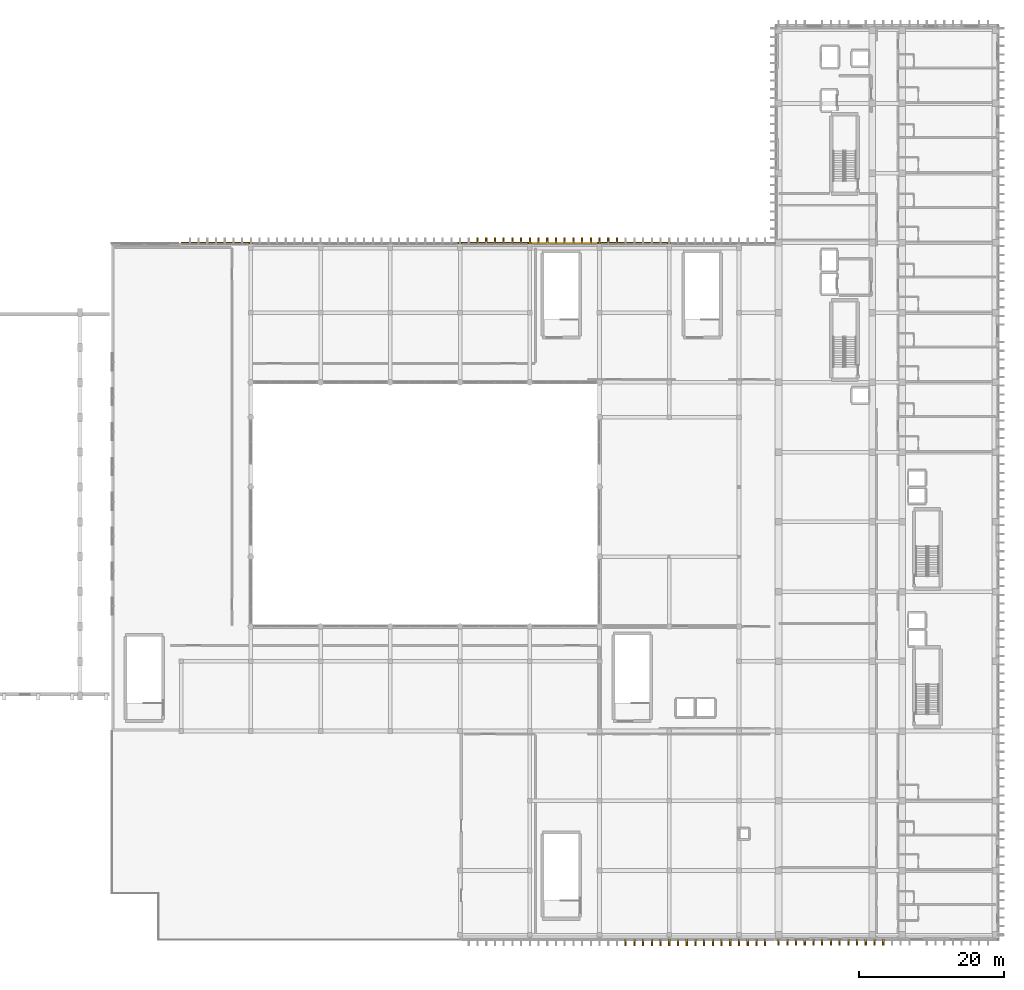
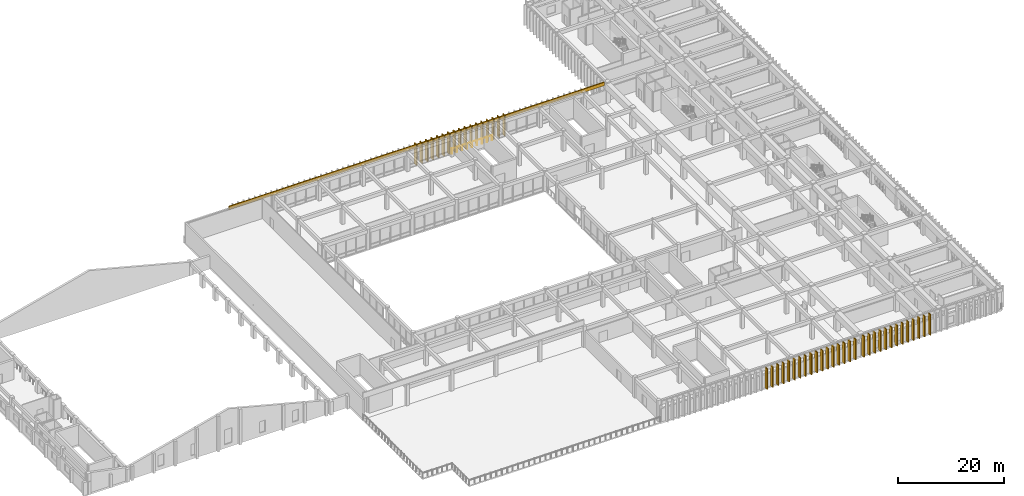
# One storey, part 92 of 101: 48 coverings, 47 shading devices, 1 railing.
"""IFC4 building model written with IfcOpenShell, lengths in metres."""

from ifc_helpers import new_model, si_unit, direction, frame, origin, origin_2d, place, context, subcontext, project, spatial, rectangle, circle, extrude, material, layer, layer_set, type_object, element, save


model = new_model("IFC4")

# Units and contexts
model_context = context("Model", 3, precision=1e-05, world=origin(), true_north=direction((0.0, 1.0)))
body_context = subcontext(model_context, "Body", "Model", "MODEL_VIEW")
ifc_project = project(units=[si_unit("LENGTHUNIT", "METRE"), si_unit("AREAUNIT", "SQUARE_METRE"), si_unit("VOLUMEUNIT", "CUBIC_METRE"), si_unit("PLANEANGLEUNIT", "RADIAN"), si_unit("MASSUNIT", "GRAM", prefix="KILO")], contexts=[model_context])

# Site, building, storey
site_placement = place(None, origin())
site = spatial("IfcSite", under=ifc_project, at=site_placement, CompositionType="ELEMENT")
building_placement = place(site_placement, origin())
building = spatial("IfcBuilding", under=site, at=building_placement, Name="Nakhvara Creek Congress Hotel", CompositionType="ELEMENT")
storey_placement = place(building_placement, frame((0.0, 0.0, 16.199951171875)))
storey = spatial("IfcBuildingStorey", under=building, at=storey_placement, Name="L03", CompositionType="ELEMENT", Elevation=16.199951171875)

# Coverings
ifc_material_1 = material(Name="Honed pale Omani limestone architectural cladding", Category="masonry")
ifc_layer_1 = layer(ifc_material_1, 0.219970703125)
ifc_layer_set_1 = layer_set([ifc_layer_1], Name="Honed pale Omani limestone architectural cladding")
covering_type_1 = type_object("IfcCoveringType", Name="COV-FIN-850", PredefinedType="CLADDING", material=ifc_layer_set_1)
for number, where, z_axis, x_axis, name in (
    (1, (128.39990234375, -0.304931640625, 0.0), (0.0, 0.0, 1.0), (1.0, 0.0, 0.0), "Pale Limestone Fin Cladding CF01-0314"),
    (2, (129.60009765625, -0.304931640625, 0.0), (0.0, 0.0, 1.0), (1.0, 0.0, 0.0), "Pale Limestone Fin Cladding CF01-0315"),
    (3, (130.800048828125, -0.304931640625, 0.0), (0.0, 0.0, 1.0), (1.0, 0.0, 0.0), "Pale Limestone Fin Cladding CF01-0316"),
    (4, (132.0, -0.304931640625, 0.0), (0.0, 0.0, 1.0), (1.0, 0.0, 0.0), "Pale Limestone Fin Cladding CF01-0317"),
    (5, (133.199951171875, -0.304931640625, 0.0), (0.0, 0.0, 1.0), (1.0, 0.0, 0.0), "Pale Limestone Fin Cladding CF01-0318"),
    (6, (134.39990234375, -0.304931640625, 0.0), (0.0, 0.0, 1.0), (1.0, 0.0, 0.0), "Pale Limestone Fin Cladding CF01-0319"),
    (7, (135.60009765625, -0.304931640625, 0.0), (0.0, 0.0, 1.0), (1.0, 0.0, 0.0), "Pale Limestone Fin Cladding CF01-0320"),
    (8, (136.800048828125, -0.304931640625, 0.0), (0.0, 0.0, 1.0), (1.0, 0.0, 0.0), "Pale Limestone Fin Cladding CF01-0321"),
    (9, (138.0, -0.304931640625, 0.0), (0.0, 0.0, 1.0), (1.0, 0.0, 0.0), "Pale Limestone Fin Cladding CF01-0322"),
    (10, (139.199951171875, -0.304931640625, 0.0), (0.0, 0.0, 1.0), (1.0, 0.0, 0.0), "Pale Limestone Fin Cladding CF01-0323"),
    (11, (140.39990234375, -0.304931640625, 0.0), (0.0, 0.0, 1.0), (1.0, 0.0, 0.0), "Pale Limestone Fin Cladding CF01-0324"),
    (12, (141.60009765625, -0.304931640625, 0.0), (0.0, 0.0, 1.0), (1.0, 0.0, 0.0), "Pale Limestone Fin Cladding CF01-0325"),
    (13, (142.800048828125, -0.304931640625, 0.0), (0.0, 0.0, 1.0), (1.0, 0.0, 0.0), "Pale Limestone Fin Cladding CF01-0326"),
    (14, (144.0, -0.304931640625, 0.0), (0.0, 0.0, 1.0), (1.0, 0.0, 0.0), "Pale Limestone Fin Cladding CF01-0327"),
    (15, (145.199951171875, -0.304931640625, 0.0), (0.0, 0.0, 1.0), (1.0, 0.0, 0.0), "Pale Limestone Fin Cladding CF01-0328"),
    (16, (146.39990234375, -0.304931640625, 0.0), (0.0, 0.0, 1.0), (1.0, 0.0, 0.0), "Pale Limestone Fin Cladding CF01-0329"),
    (17, (147.60009765625, -0.304931640625, 0.0), (0.0, 0.0, 1.0), (1.0, 0.0, 0.0), "Pale Limestone Fin Cladding CF01-0330"),
    (18, (108.0, 96.304931640625, 0.0), (0.0, 0.0, 1.0), (1.0, 0.0, 0.0), "Pale Limestone Fin Cladding CF01-0364"),
    (19, (109.199951171875, 96.304931640625, 0.0), (0.0, 0.0, 1.0), (1.0, 0.0, 0.0), "Pale Limestone Fin Cladding CF01-0365"),
    (20, (110.39990234375, 96.304931640625, 0.0), (0.0, 0.0, 1.0), (1.0, 0.0, 0.0), "Pale Limestone Fin Cladding CF01-0366"),
    (21, (111.60009765625, 96.304931640625, 0.0), (0.0, 0.0, 1.0), (1.0, 0.0, 0.0), "Pale Limestone Fin Cladding CF01-0367"),
    (22, (112.800048828125, 96.304931640625, 0.0), (0.0, 0.0, 1.0), (1.0, 0.0, 0.0), "Pale Limestone Fin Cladding CF01-0368"),
    (23, (114.0, 96.304931640625, 0.0), (0.0, 0.0, 1.0), (1.0, 0.0, 0.0), "Pale Limestone Fin Cladding CF01-0369"),
    (24, (115.199951171875, 96.304931640625, 0.0), (0.0, 0.0, 1.0), (1.0, 0.0, 0.0), "Pale Limestone Fin Cladding CF01-0370"),
    (25, (116.39990234375, 96.304931640625, 0.0), (0.0, 0.0, 1.0), (1.0, 0.0, 0.0), "Pale Limestone Fin Cladding CF01-0371"),
    (26, (117.60009765625, 96.304931640625, 0.0), (0.0, 0.0, 1.0), (1.0, 0.0, 0.0), "Pale Limestone Fin Cladding CF01-0372"),
    (27, (118.800048828125, 96.304931640625, 0.0), (0.0, 0.0, 1.0), (1.0, 0.0, 0.0), "Pale Limestone Fin Cladding CF01-0373"),
    (28, (120.0, 96.304931640625, 0.0), (0.0, 0.0, 1.0), (1.0, 0.0, 0.0), "Pale Limestone Fin Cladding CF01-0374"),
    (29, (121.199951171875, 96.304931640625, 0.0), (0.0, 0.0, 1.0), (1.0, 0.0, 0.0), "Pale Limestone Fin Cladding CF01-0375"),
    (30, (122.39990234375, 96.304931640625, 0.0), (0.0, 0.0, 1.0), (1.0, 0.0, 0.0), "Pale Limestone Fin Cladding CF01-0376"),
    (31, (123.60009765625, 96.304931640625, 0.0), (0.0, 0.0, 1.0), (1.0, 0.0, 0.0), "Pale Limestone Fin Cladding CF01-0377"),
    (32, (124.800048828125, 96.304931640625, 0.0), (0.0, 0.0, 1.0), (1.0, 0.0, 0.0), "Pale Limestone Fin Cladding CF01-0378"),
    (33, (126.0, 96.304931640625, 0.0), (0.0, 0.0, 1.0), (1.0, 0.0, 0.0), "Pale Limestone Fin Cladding CF01-0379"),
    (34, (127.199951171875, 96.304931640625, 0.0), (0.0, 0.0, 1.0), (1.0, 0.0, 0.0), "Pale Limestone Fin Cladding CF01-0380"),
):
    element("IfcCovering", number, at=place(storey_placement, frame(where, z_axis=z_axis, x_axis=x_axis)), inside=storey, type_object=covering_type_1, Name=name, PredefinedType="CLADDING", context=body_context, shape_type="SweptSolid", body=[
        extrude(rectangle(XDim=0.219970703125, YDim=0.85009765625, at=origin_2d()), origin(), (0.0, 0.0, 1.0), 4.719970703125),
    ])
for number, where, z_axis, x_axis, name in (
    (35, (149.449951171875, -0.264892578125, 0.0), (0.0, 0.0, 1.0), (1.0, 0.0, 0.0), "Pale Limestone Fin Cladding CF01-1156"),
    (36, (150.64990234375, -0.264892578125, 0.0), (0.0, 0.0, 1.0), (1.0, 0.0, 0.0), "Pale Limestone Fin Cladding CF01-1158"),
    (37, (151.85009765625, -0.264892578125, 0.0), (0.0, 0.0, 1.0), (1.0, 0.0, 0.0), "Pale Limestone Fin Cladding CF01-1160"),
    (38, (153.050048828125, -0.264892578125, 0.0), (0.0, 0.0, 1.0), (1.0, 0.0, 0.0), "Pale Limestone Fin Cladding CF01-1162"),
    (39, (154.25, -0.264892578125, 0.0), (0.0, 0.0, 1.0), (1.0, 0.0, 0.0), "Pale Limestone Fin Cladding CF01-1163"),
    (40, (155.449951171875, -0.264892578125, 0.0), (0.0, 0.0, 1.0), (1.0, 0.0, 0.0), "Pale Limestone Fin Cladding CF01-1165"),
    (41, (156.64990234375, -0.264892578125, 0.0), (0.0, 0.0, 1.0), (1.0, 0.0, 0.0), "Pale Limestone Fin Cladding CF01-1167"),
    (42, (157.85009765625, -0.264892578125, 0.0), (0.0, 0.0, 1.0), (1.0, 0.0, 0.0), "Pale Limestone Fin Cladding CF01-1169"),
    (43, (159.050048828125, -0.264892578125, 0.0), (0.0, 0.0, 1.0), (1.0, 0.0, 0.0), "Pale Limestone Fin Cladding CF01-1171"),
    (44, (160.25, -0.264892578125, 0.0), (0.0, 0.0, 1.0), (1.0, 0.0, 0.0), "Pale Limestone Fin Cladding CF01-1172"),
    (45, (161.449951171875, -0.264892578125, 0.0), (0.0, 0.0, 1.0), (1.0, 0.0, 0.0), "Pale Limestone Fin Cladding CF01-1174"),
    (46, (162.64990234375, -0.264892578125, 0.0), (0.0, 0.0, 1.0), (1.0, 0.0, 0.0), "Pale Limestone Fin Cladding CF01-1176"),
    (47, (163.85009765625, -0.264892578125, 0.0), (0.0, 0.0, 1.0), (1.0, 0.0, 0.0), "Pale Limestone Fin Cladding CF01-1178"),
):
    element("IfcCovering", number, at=place(storey_placement, frame(where, z_axis=z_axis, x_axis=x_axis)), inside=storey, type_object=covering_type_1, Name=name, PredefinedType="CLADDING", context=body_context, shape_type="SweptSolid", body=[
        extrude(rectangle(XDim=0.219970703125, YDim=0.85009765625, at=origin_2d()), origin(), (0.0, 0.0, 1.0), 4.760009765625),
    ])
ifc_layer_2 = layer(ifc_material_1, 0.179931640625)
ifc_layer_set_2 = layer_set([ifc_layer_2], Name="Honed pale Omani limestone architectural cladding")
covering_type_2 = type_object("IfcCoveringType", Name="COV-SPN-180", PredefinedType="CLADDING", material=ifc_layer_set_2)
covering_placement = place(storey_placement, frame((108.0, 95.989990234375, 4.0400390625), z_axis=(0.0, 0.0, 1.0), x_axis=(1.0, 0.0, 0.0)))
element("IfcCovering", 48, at=covering_placement, inside=storey, type_object=covering_type_2, Name="Pale Limestone Spandrel Band CF02-0030", PredefinedType="CLADDING", context=body_context, shape_type="SweptSolid", body=[
    extrude(rectangle(XDim=81.60009765625, YDim=0.219970703125, at=origin_2d()), origin(), (0.0, 0.0, 1.0), 0.780029296875),
])

# Railing
ifc_material_2 = material(Name="Brushed stainless steel 316L", Category="steel")
railing_type = type_object("IfcRailingType", Name="RL-GUARD-1200", PredefinedType="GUARDRAIL", material=ifc_material_2)
railing_placement = place(storey_placement, frame((115.64990234375, 95.919921875, 0.0)))
element("IfcRailing", 49, at=railing_placement, inside=storey, type_object=railing_type, Name="North Conference Edge Guard L03-115", PredefinedType="GUARDRAIL", context=body_context, shape_type="SweptSolid", body=[
    extrude(circle(Radius=0.02392578125, at=origin_2d()), frame((0.0146484375, 0.0, 1.17578125), z_axis=(1.0, 0.0, 0.0), x_axis=(0.0, 1.0, 0.0)), (0.0, 0.0, 1.0), 8.6708984375),
    extrude(circle(Radius=0.02099609375, at=origin_2d()), origin(), (0.0, 0.0, 1.0), 1.1806640625),
    extrude(circle(Radius=0.02099609375, at=origin_2d()), frame((1.08740234375, 0.0, 0.0)), (0.0, 0.0, 1.0), 1.1806640625),
    extrude(circle(Radius=0.02099609375, at=origin_2d()), frame((2.175048828125, 0.0, 0.0)), (0.0, 0.0, 1.0), 1.1806640625),
    extrude(circle(Radius=0.02099609375, at=origin_2d()), frame((3.2626953125, 0.0, 0.0)), (0.0, 0.0, 1.0), 1.1806640625),
    extrude(circle(Radius=0.02099609375, at=origin_2d()), frame((4.35009765625, 0.0, 0.0)), (0.0, 0.0, 1.0), 1.1806640625),
    extrude(circle(Radius=0.02099609375, at=origin_2d()), frame((5.4375, 0.0, 0.0)), (0.0, 0.0, 1.0), 1.1806640625),
    extrude(circle(Radius=0.02099609375, at=origin_2d()), frame((6.525146484375, 0.0, 0.0)), (0.0, 0.0, 1.0), 1.1806640625),
    extrude(circle(Radius=0.02099609375, at=origin_2d()), frame((7.61279296875, 0.0, 0.0)), (0.0, 0.0, 1.0), 1.1806640625),
    extrude(circle(Radius=0.02099609375, at=origin_2d()), frame((8.7001953125, 0.0, 0.0)), (0.0, 0.0, 1.0), 1.1806640625),
])

# Shading devices
ifc_material_3 = material(Name="Honed pale Omani limestone cladding on stainless steel spine", Category="masonry")
shading_device_type = type_object("IfcShadingDeviceType", Name="SHD-FIN-850X4700", PredefinedType="USERDEFINED", material=ifc_material_3)
for number, where, z_axis, x_axis, name in (
    (50, (128.39990234375, -0.304931640625, 0.0), (0.0, 0.0, 1.0), (1.0, 0.0, 0.0), "Limestone Solar Fin FN02-0314"),
    (51, (129.60009765625, -0.304931640625, 0.0), (0.0, 0.0, 1.0), (1.0, 0.0, 0.0), "Limestone Solar Fin FN02-0315"),
    (52, (130.800048828125, -0.304931640625, 0.0), (0.0, 0.0, 1.0), (1.0, 0.0, 0.0), "Limestone Solar Fin FN02-0316"),
    (53, (132.0, -0.304931640625, 0.0), (0.0, 0.0, 1.0), (1.0, 0.0, 0.0), "Limestone Solar Fin FN02-0317"),
    (54, (133.199951171875, -0.304931640625, 0.0), (0.0, 0.0, 1.0), (1.0, 0.0, 0.0), "Limestone Solar Fin FN02-0318"),
    (55, (134.39990234375, -0.304931640625, 0.0), (0.0, 0.0, 1.0), (1.0, 0.0, 0.0), "Limestone Solar Fin FN02-0319"),
    (56, (135.60009765625, -0.304931640625, 0.0), (0.0, 0.0, 1.0), (1.0, 0.0, 0.0), "Limestone Solar Fin FN02-0320"),
    (57, (136.800048828125, -0.304931640625, 0.0), (0.0, 0.0, 1.0), (1.0, 0.0, 0.0), "Limestone Solar Fin FN02-0321"),
    (58, (138.0, -0.304931640625, 0.0), (0.0, 0.0, 1.0), (1.0, 0.0, 0.0), "Limestone Solar Fin FN02-0322"),
    (59, (139.199951171875, -0.304931640625, 0.0), (0.0, 0.0, 1.0), (1.0, 0.0, 0.0), "Limestone Solar Fin FN02-0323"),
    (60, (140.39990234375, -0.304931640625, 0.0), (0.0, 0.0, 1.0), (1.0, 0.0, 0.0), "Limestone Solar Fin FN02-0324"),
    (61, (141.60009765625, -0.304931640625, 0.0), (0.0, 0.0, 1.0), (1.0, 0.0, 0.0), "Limestone Solar Fin FN02-0325"),
    (62, (142.800048828125, -0.304931640625, 0.0), (0.0, 0.0, 1.0), (1.0, 0.0, 0.0), "Limestone Solar Fin FN02-0326"),
    (63, (144.0, -0.304931640625, 0.0), (0.0, 0.0, 1.0), (1.0, 0.0, 0.0), "Limestone Solar Fin FN02-0327"),
    (64, (145.199951171875, -0.304931640625, 0.0), (0.0, 0.0, 1.0), (1.0, 0.0, 0.0), "Limestone Solar Fin FN02-0328"),
    (65, (146.39990234375, -0.304931640625, 0.0), (0.0, 0.0, 1.0), (1.0, 0.0, 0.0), "Limestone Solar Fin FN02-0329"),
    (66, (147.60009765625, -0.304931640625, 0.0), (0.0, 0.0, 1.0), (1.0, 0.0, 0.0), "Limestone Solar Fin FN02-0330"),
    (67, (108.0, 96.304931640625, 0.0), (0.0, 0.0, 1.0), (1.0, 0.0, 0.0), "Limestone Solar Fin FN02-0364"),
    (68, (109.199951171875, 96.304931640625, 0.0), (0.0, 0.0, 1.0), (1.0, 0.0, 0.0), "Limestone Solar Fin FN02-0365"),
    (69, (110.39990234375, 96.304931640625, 0.0), (0.0, 0.0, 1.0), (1.0, 0.0, 0.0), "Limestone Solar Fin FN02-0366"),
    (70, (111.60009765625, 96.304931640625, 0.0), (0.0, 0.0, 1.0), (1.0, 0.0, 0.0), "Limestone Solar Fin FN02-0367"),
    (71, (112.800048828125, 96.304931640625, 0.0), (0.0, 0.0, 1.0), (1.0, 0.0, 0.0), "Limestone Solar Fin FN02-0368"),
    (72, (114.0, 96.304931640625, 0.0), (0.0, 0.0, 1.0), (1.0, 0.0, 0.0), "Limestone Solar Fin FN02-0369"),
    (73, (115.199951171875, 96.304931640625, 0.0), (0.0, 0.0, 1.0), (1.0, 0.0, 0.0), "Limestone Solar Fin FN02-0370"),
    (74, (116.39990234375, 96.304931640625, 0.0), (0.0, 0.0, 1.0), (1.0, 0.0, 0.0), "Limestone Solar Fin FN02-0371"),
    (75, (117.60009765625, 96.304931640625, 0.0), (0.0, 0.0, 1.0), (1.0, 0.0, 0.0), "Limestone Solar Fin FN02-0372"),
    (76, (118.800048828125, 96.304931640625, 0.0), (0.0, 0.0, 1.0), (1.0, 0.0, 0.0), "Limestone Solar Fin FN02-0373"),
    (77, (120.0, 96.304931640625, 0.0), (0.0, 0.0, 1.0), (1.0, 0.0, 0.0), "Limestone Solar Fin FN02-0374"),
    (78, (121.199951171875, 96.304931640625, 0.0), (0.0, 0.0, 1.0), (1.0, 0.0, 0.0), "Limestone Solar Fin FN02-0375"),
    (79, (122.39990234375, 96.304931640625, 0.0), (0.0, 0.0, 1.0), (1.0, 0.0, 0.0), "Limestone Solar Fin FN02-0376"),
    (80, (123.60009765625, 96.304931640625, 0.0), (0.0, 0.0, 1.0), (1.0, 0.0, 0.0), "Limestone Solar Fin FN02-0377"),
    (81, (124.800048828125, 96.304931640625, 0.0), (0.0, 0.0, 1.0), (1.0, 0.0, 0.0), "Limestone Solar Fin FN02-0378"),
    (82, (126.0, 96.304931640625, 0.0), (0.0, 0.0, 1.0), (1.0, 0.0, 0.0), "Limestone Solar Fin FN02-0379"),
    (83, (127.199951171875, 96.304931640625, 0.0), (0.0, 0.0, 1.0), (1.0, 0.0, 0.0), "Limestone Solar Fin FN02-0380"),
):
    element("IfcShadingDevice", number, at=place(storey_placement, frame(where, z_axis=z_axis, x_axis=x_axis)), inside=storey, type_object=shading_device_type, Name=name, ObjectType="FIN", PredefinedType="USERDEFINED", context=body_context, shape_type="SweptSolid", body=[
        extrude(rectangle(XDim=0.199951171875, YDim=0.85009765625, at=origin_2d()), origin(), (0.0, 0.0, 1.0), 4.719970703125),
    ])
for number, where, z_axis, x_axis, name in (
    (84, (149.449951171875, -0.264892578125, 0.0), (0.0, 0.0, 1.0), (1.0, 0.0, 0.0), "Limestone Solar Fin FN02-1021"),
    (85, (150.64990234375, -0.264892578125, 0.0), (0.0, 0.0, 1.0), (1.0, 0.0, 0.0), "Limestone Solar Fin FN02-1023"),
    (86, (151.85009765625, -0.264892578125, 0.0), (0.0, 0.0, 1.0), (1.0, 0.0, 0.0), "Limestone Solar Fin FN02-1025"),
    (87, (153.050048828125, -0.264892578125, 0.0), (0.0, 0.0, 1.0), (1.0, 0.0, 0.0), "Limestone Solar Fin FN02-1027"),
    (88, (154.25, -0.264892578125, 0.0), (0.0, 0.0, 1.0), (1.0, 0.0, 0.0), "Limestone Solar Fin FN02-1028"),
    (89, (155.449951171875, -0.264892578125, 0.0), (0.0, 0.0, 1.0), (1.0, 0.0, 0.0), "Limestone Solar Fin FN02-1030"),
    (90, (156.64990234375, -0.264892578125, 0.0), (0.0, 0.0, 1.0), (1.0, 0.0, 0.0), "Limestone Solar Fin FN02-1032"),
    (91, (157.85009765625, -0.264892578125, 0.0), (0.0, 0.0, 1.0), (1.0, 0.0, 0.0), "Limestone Solar Fin FN02-1034"),
    (92, (159.050048828125, -0.264892578125, 0.0), (0.0, 0.0, 1.0), (1.0, 0.0, 0.0), "Limestone Solar Fin FN02-1036"),
    (93, (160.25, -0.264892578125, 0.0), (0.0, 0.0, 1.0), (1.0, 0.0, 0.0), "Limestone Solar Fin FN02-1037"),
    (94, (161.449951171875, -0.264892578125, 0.0), (0.0, 0.0, 1.0), (1.0, 0.0, 0.0), "Limestone Solar Fin FN02-1039"),
    (95, (162.64990234375, -0.264892578125, 0.0), (0.0, 0.0, 1.0), (1.0, 0.0, 0.0), "Limestone Solar Fin FN02-1041"),
    (96, (163.85009765625, -0.264892578125, 0.0), (0.0, 0.0, 1.0), (1.0, 0.0, 0.0), "Limestone Solar Fin FN02-1043"),
):
    element("IfcShadingDevice", number, at=place(storey_placement, frame(where, z_axis=z_axis, x_axis=x_axis)), inside=storey, type_object=shading_device_type, Name=name, ObjectType="FIN", PredefinedType="USERDEFINED", context=body_context, shape_type="SweptSolid", body=[
        extrude(rectangle(XDim=0.199951171875, YDim=0.85009765625, at=origin_2d()), origin(), (0.0, 0.0, 1.0), 4.760009765625),
    ])

save(model, "model.ifc")
